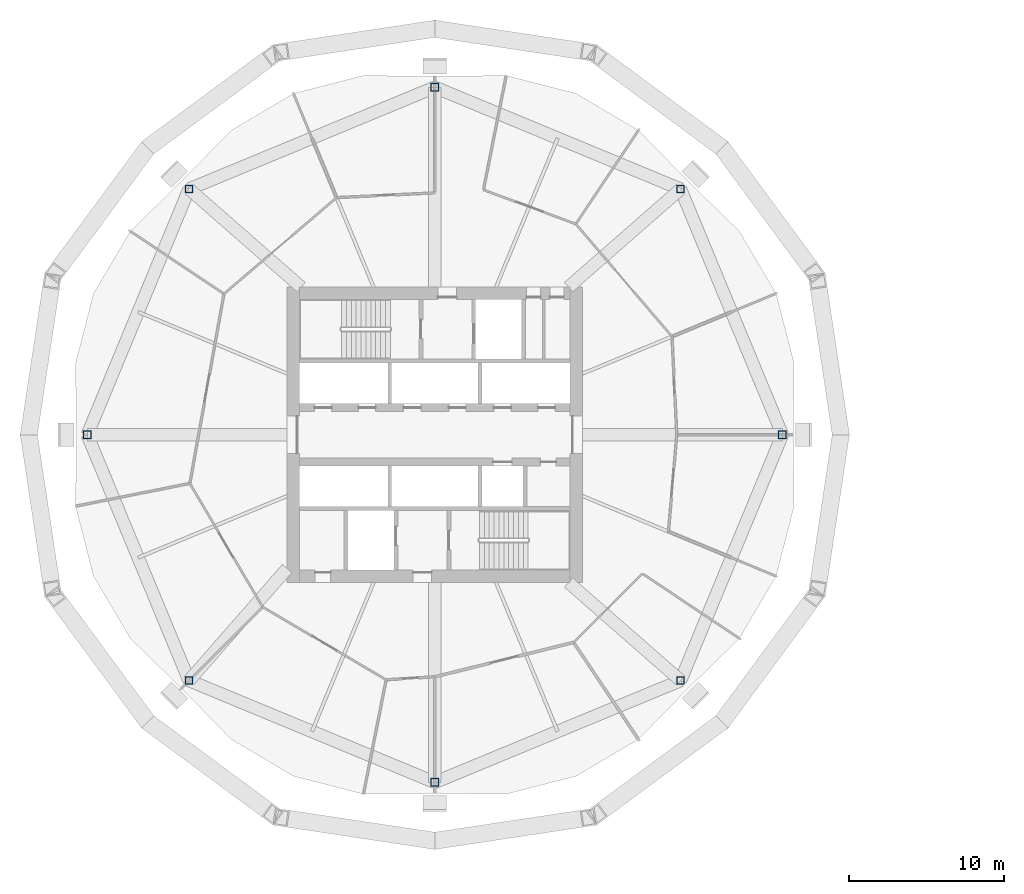
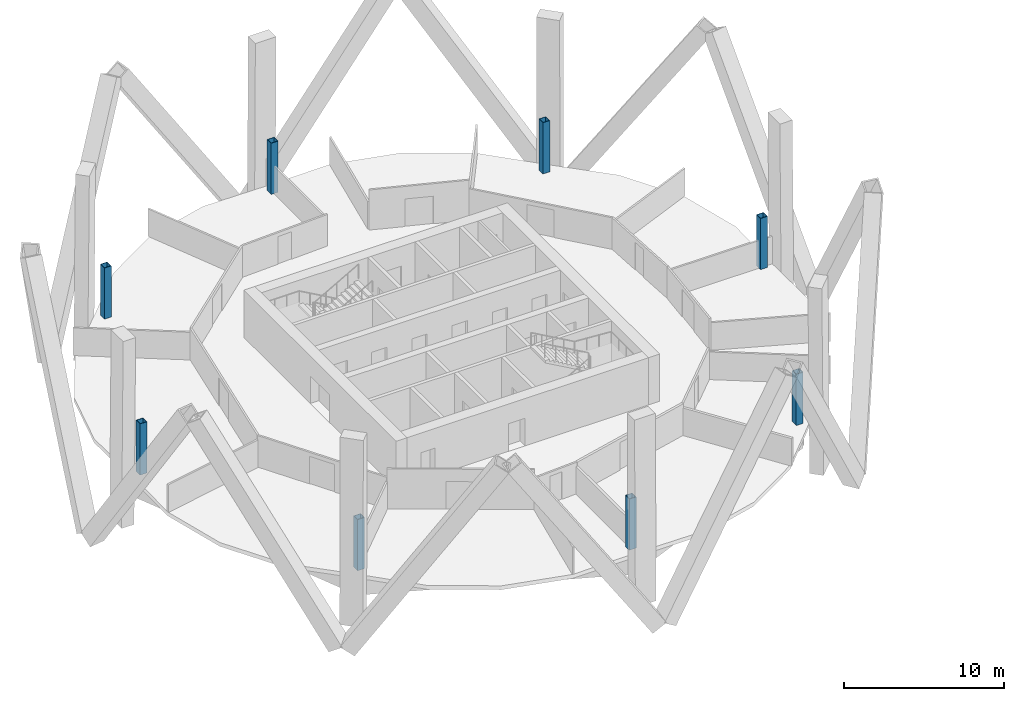
# One storey, part 1 of 10: 8 columns.
"""IFC4 building model written with IfcOpenShell, lengths in metres."""

from ifc_helpers import new_model, si_unit, direction, frame, origin, origin_2d, place, context, subcontext, project, spatial, hollow_rectangle, extrude, material, material_profile, profile_set, type_object, element, save


model = new_model("IFC4")

# Units and contexts
model_context = context("Model", 3, precision=1e-05, world=origin(), true_north=direction((0.0, 1.0)))
body_context = subcontext(model_context, "Body", "Model", "MODEL_VIEW")
ifc_project = project(units=[si_unit("LENGTHUNIT", "METRE"), si_unit("AREAUNIT", "SQUARE_METRE"), si_unit("VOLUMEUNIT", "CUBIC_METRE"), si_unit("PLANEANGLEUNIT", "RADIAN"), si_unit("MASSUNIT", "GRAM", prefix="KILO")], contexts=[model_context])

# Site, building, storey
site_placement = place(None, origin())
site = spatial("IfcSite", under=ifc_project, at=site_placement, CompositionType="ELEMENT")
building_placement = place(site_placement, origin())
building = spatial("IfcBuilding", under=site, at=building_placement, Name="Ogive Gate Towers", CompositionType="ELEMENT")
storey_placement = place(building_placement, frame((0.0, 0.0, 119.10009765625)))
storey = spatial("IfcBuildingStorey", under=building, at=storey_placement, Name="L28", CompositionType="ELEMENT", Elevation=119.10009765625)

# Columns
ifc_material = material(Name="Steel SM460", Category="steel")
ifc_material_profile = material_profile(ifc_material, hollow_rectangle(XDim=0.5, YDim=0.5, WallThickness=0.030029296875, at=origin_2d()), Name="BX 500x500x30")
ifc_profile_set = profile_set([ifc_material_profile], Name="Steel SM460")
column_type = type_object("IfcColumnType", Name="Perimeter post BX 500x500x30", PredefinedType="COLUMN", material=ifc_profile_set)
for number, where, z_axis, x_axis, name in (
    (1, (-13.64990234375, 0.0, 0.0), (0.0, 0.0, 1.0), (1.0, 0.0, 0.0), "T1/L28/SCL001"),
    (2, (-20.196044921875, 15.803955078125, 0.0), (0.0, 0.0, 1.0), (1.0, 0.0, 0.0), "T1/L28/SCL002"),
    (3, (-36.0, 22.35009765625, 0.0), (0.0, 0.0, 1.0), (1.0, 0.0, 0.0), "T1/L28/SCL003"),
    (4, (-51.803955078125, 15.803955078125, 0.0), (0.0, 0.0, 1.0), (1.0, 0.0, 0.0), "T1/L28/SCL004"),
    (5, (-58.35009765625, 0.0, 0.0), (0.0, 0.0, 1.0), (1.0, 0.0, 0.0), "T1/L28/SCL005"),
    (6, (-51.803955078125, -15.803955078125, 0.0), (0.0, 0.0, 1.0), (1.0, 0.0, 0.0), "T1/L28/SCL006"),
    (7, (-36.0, -22.35009765625, 0.0), (0.0, 0.0, 1.0), (1.0, 0.0, 0.0), "T1/L28/SCL007"),
    (8, (-20.196044921875, -15.803955078125, 0.0), (0.0, 0.0, 1.0), (1.0, 0.0, 0.0), "T1/L28/SCL008"),
):
    element("IfcColumn", number, at=place(storey_placement, frame(where, z_axis=z_axis, x_axis=x_axis)), inside=storey, type_object=column_type, Name=name, PredefinedType="COLUMN", context=body_context, shape_type="SweptSolid", body=[
        extrude(hollow_rectangle(XDim=0.5, YDim=0.5, WallThickness=0.030029296875, at=origin_2d()), origin(), (0.0, 0.0, 1.0), 3.89990234375),
    ])

save(model, "model.ifc")
